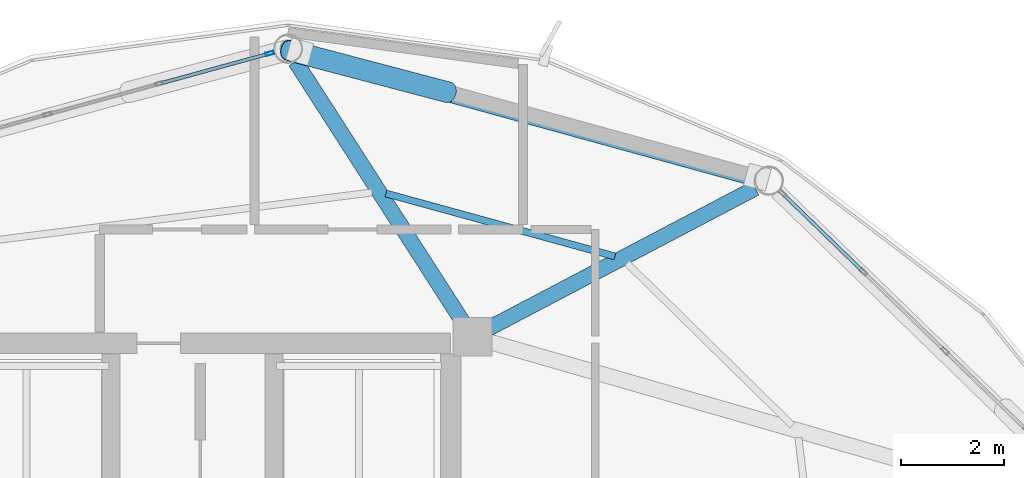
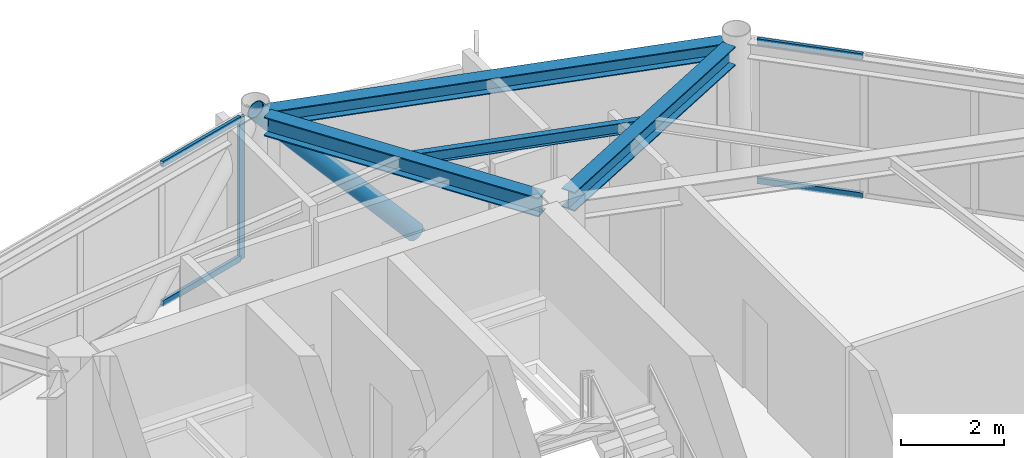
# One storey, part 19 of 27: 6 members, 4 beams, 2 elements without a shape of their own.
"""IFC4 building model written with IfcOpenShell, lengths in metres."""

from ifc_helpers import new_model, si_unit, direction, frame, origin, origin_2d, place, context, subcontext, project, spatial, hollow_rectangle, hollow_circle, i_section, extrude, material, layer, layer_set, material_profile, profile_set, type_object, element, aggregate, save


model = new_model("IFC4")

# Units and contexts
model_context = context("Model", 3, precision=1e-05, world=origin(), true_north=direction((0.0, 1.0)))
body_context = subcontext(model_context, "Body", "Model", "MODEL_VIEW")
ifc_project = project(units=[si_unit("LENGTHUNIT", "METRE"), si_unit("AREAUNIT", "SQUARE_METRE"), si_unit("VOLUMEUNIT", "CUBIC_METRE"), si_unit("PLANEANGLEUNIT", "RADIAN"), si_unit("MASSUNIT", "GRAM", prefix="KILO")], contexts=[model_context])

# Site, building, storey
site_placement = place(None, origin())
site = spatial("IfcSite", under=ifc_project, at=site_placement, CompositionType="ELEMENT")
building_placement = place(site_placement, origin())
building = spatial("IfcBuilding", under=site, at=building_placement, Name="Varnakorn Sky Granary", CompositionType="ELEMENT")
storey_placement = place(building_placement, frame((0.0, 0.0, 232.800048828125)))
storey = spatial("IfcBuildingStorey", under=building, at=storey_placement, Name="L59", CompositionType="ELEMENT", Elevation=232.800048828125)

# Beams
ifc_material_1 = material(Name="Steel S355JR", Category="steel")
ifc_material_profile_1 = material_profile(ifc_material_1, i_section(OverallWidth=0.300048828125, OverallDepth=0.449951171875, WebThickness=0.013916015625, FlangeThickness=0.02587890625, at=origin_2d()), Name="HE 450 B")
ifc_profile_set_1 = profile_set([ifc_material_profile_1], Name="Steel S355JR")
beam_type_1 = type_object("IfcBeamType", Name="BM-RAD-Z5", PredefinedType="BEAM", material=ifc_profile_set_1)
beam_1_placement = place(storey_placement, frame((8.734130859375, 12.78515625, 3.135009765625), z_axis=(0.885177745277, 0.46525300565, 0.0), x_axis=(-0.46525300565, 0.885177745277, 0.0)))
element("IfcBeam", 1, at=beam_1_placement, inside=storey, type_object=beam_type_1, Name="Radial Floor Girder RG03 L59", PredefinedType="BEAM", context=body_context, shape_type="SweptSolid", body=[
    extrude(i_section(OverallWidth=0.300048828125, OverallDepth=0.449951171875, WebThickness=0.013916015625, FlangeThickness=0.02587890625, at=origin_2d()), origin(), (0.0, 0.0, 1.0), 5.8330078125),
])
beam_2_placement = place(storey_placement, frame((8.22802734375, 12.918701171875, 3.135009765625), z_axis=(-0.54073284174, 0.841194385302, 0.0), x_axis=(-0.841194385302, -0.54073284174, 0.0)))
element("IfcBeam", 2, at=beam_2_placement, inside=storey, type_object=beam_type_1, Name="Radial Floor Girder RG04 L59", PredefinedType="BEAM", context=body_context, shape_type="SweptSolid", body=[
    extrude(i_section(OverallWidth=0.300048828125, OverallDepth=0.449951171875, WebThickness=0.013916015625, FlangeThickness=0.02587890625, at=origin_2d()), origin(), (0.0, 0.0, 1.0), 5.98291015625),
])
ifc_material_profile_2 = material_profile(ifc_material_1, i_section(OverallWidth=0.135009765625, OverallDepth=0.27001953125, WebThickness=0.006591796875, FlangeThickness=0.01025390625, at=origin_2d()), Name="IPE 270")
ifc_profile_set_2 = profile_set([ifc_material_profile_2], Name="Steel S355JR")
beam_type_2 = type_object("IfcBeamType", Name="BM-SEC-Z5", PredefinedType="BEAM", material=ifc_profile_set_2)
beam_3_placement = place(storey_placement, frame((11.180908203125, 14.17919921875, 3.224853515625), z_axis=(-0.964258635881, 0.264962795746, 0.0), x_axis=(-0.264962795746, -0.964258635881, 0.0)))
element("IfcBeam", 3, at=beam_3_placement, inside=storey, type_object=beam_type_2, Name="Secondary Floor Chord Beam MSB03 L59", PredefinedType="BEAM", context=body_context, shape_type="SweptSolid", body=[
    extrude(i_section(OverallWidth=0.135009765625, OverallDepth=0.27001953125, WebThickness=0.006591796875, FlangeThickness=0.01025390625, at=origin_2d()), origin(), (0.0, 0.0, 1.0), 4.599609375),
])
ifc_material_profile_3 = material_profile(ifc_material_1, i_section(OverallWidth=0.300048828125, OverallDepth=0.360107421875, WebThickness=0.012451171875, FlangeThickness=0.0224609375, at=origin_2d()), Name="HE 360 B")
ifc_profile_set_3 = profile_set([ifc_material_profile_3], Name="Steel S355JR")
beam_type_3 = type_object("IfcBeamType", Name="BM-SPD-Z5", PredefinedType="SPANDREL", material=ifc_profile_set_3)
beam_4_placement = place(storey_placement, frame((13.87646484375, 15.6923828125, 3.179931640625), z_axis=(-0.964220486404, 0.26510159109, 0.0), x_axis=(-0.26510159109, -0.964220486404, 0.0)))
element("IfcBeam", 4, at=beam_4_placement, inside=storey, type_object=beam_type_3, Name="Perimeter Spandrel Ring Beam RB03 L59", PredefinedType="SPANDREL", context=body_context, shape_type="SweptSolid", body=[
    extrude(i_section(OverallWidth=0.300048828125, OverallDepth=0.360107421875, WebThickness=0.012451171875, FlangeThickness=0.0224609375, at=origin_2d()), origin(), (0.0, 0.0, 1.0), 9.096923828125),
])

# Curtain wall, member
ifc_material_2 = material(Name="Anodised Bronze Aluminium Alloy 6063-T6", Category="aluminium")
ifc_layer = layer(ifc_material_2, 0.169921875, Name="Anodised Bronze Aluminium Alloy 6063-T6")
ifc_layer_set = layer_set([ifc_layer], Name="Anodised Bronze Aluminium Alloy 6063-T6")
curtain_wall_type = type_object("IfcCurtainWallType", Name="CW-LAB-1", PredefinedType="USERDEFINED", material=ifc_layer_set)
curtain_wall_1_placement = place(storey_placement, origin())
curtain_wall_1 = element("IfcCurtainWall", 5, at=curtain_wall_1_placement, inside=storey, type_object=curtain_wall_type, Name="Unitised Curtain Wall CW5 CW-L59-B04", ObjectType="CURTAIN WALL", PredefinedType="USERDEFINED")
ifc_material_profile_4 = material_profile(ifc_material_2, hollow_rectangle(XDim=0.06494140625, YDim=0.159912109375, WallThickness=0.00341796875, at=origin_2d()), Name="ALU MULL 65x160")
ifc_profile_set_4 = profile_set([ifc_material_profile_4], Name="Anodised Bronze Aluminium Alloy 6063-T6")
member_type_1 = type_object("IfcMemberType", Name="CW-LAB-1-MULL", PredefinedType="MULLION", material=ifc_profile_set_4)
member_1_placement = place(storey_placement, frame((4.4912109375, 18.109619140625, 0.0), z_axis=(0.0, 0.0, 1.0), x_axis=(-0.26463962686, 0.964347379265, 0.0)))
member_1 = element("IfcMember", 6, at=member_1_placement, type_object=member_type_1, Name="CW5 mullion 5", PredefinedType="MULLION", context=body_context, shape_type="SweptSolid", body=[
    extrude(hollow_rectangle(XDim=0.06494140625, YDim=0.159912109375, WallThickness=0.00341796875, at=origin_2d()), origin(), (0.0, 0.0, 1.0), 3.35986328125),
])

# Curtain wall, members
curtain_wall_2_placement = place(storey_placement, origin())
curtain_wall_2 = element("IfcCurtainWall", 7, at=curtain_wall_2_placement, inside=storey, type_object=curtain_wall_type, Name="Unitised Curtain Wall CW5 CW-L59-B02", ObjectType="CURTAIN WALL", PredefinedType="USERDEFINED")
ifc_material_profile_5 = material_profile(ifc_material_2, hollow_rectangle(XDim=0.070068359375, YDim=0.139892578125, WallThickness=0.00341796875, at=origin_2d()), Name="ALU TRAN 70x140")
ifc_profile_set_5 = profile_set([ifc_material_profile_5], Name="Anodised Bronze Aluminium Alloy 6063-T6")
member_type_2 = type_object("IfcMemberType", Name="CW-LAB-1-TRAN", PredefinedType="USERDEFINED", material=ifc_profile_set_5)
member_2_placement = place(storey_placement, frame((14.455810546875, 15.3701171875, 0.034912109375), z_axis=(0.717795152557, -0.696254349334, 0.0), x_axis=(0.696254349334, 0.717795152557, 0.0)))
member_2 = element("IfcMember", 8, at=member_2_placement, type_object=member_type_2, Name="CW5 transom 1.1", ObjectType="TRANSOM", PredefinedType="USERDEFINED", context=body_context, shape_type="SweptSolid", body=[
    extrude(hollow_rectangle(XDim=0.070068359375, YDim=0.139892578125, WallThickness=0.00341796875, at=origin_2d()), origin(), (0.0, 0.0, 1.0), 2.108154296875),
])
member_3_placement = place(storey_placement, frame((14.455810546875, 15.3701171875, 3.324951171875), z_axis=(0.717795152557, -0.696254349334, 0.0), x_axis=(0.696254349334, 0.717795152557, 0.0)))
member_3 = element("IfcMember", 9, at=member_3_placement, type_object=member_type_2, Name="CW5 transom 1.2", ObjectType="TRANSOM", PredefinedType="USERDEFINED", context=body_context, shape_type="SweptSolid", body=[
    extrude(hollow_rectangle(XDim=0.070068359375, YDim=0.139892578125, WallThickness=0.00341796875, at=origin_2d()), origin(), (0.0, 0.0, 1.0), 2.108154296875),
])
aggregate(curtain_wall_2, [member_2, member_3])

# Member
member_4_placement = place(storey_placement, frame((2.388671875, 17.53271484375, 0.034912109375), z_axis=(0.9643534522, 0.264617496077, 0.0), x_axis=(-0.264617496077, 0.9643534522, 0.0)))
member_4 = element("IfcMember", 10, at=member_4_placement, type_object=member_type_2, Name="CW5 transom 4.1", ObjectType="TRANSOM", PredefinedType="USERDEFINED", context=body_context, shape_type="SweptSolid", body=[
    extrude(hollow_rectangle(XDim=0.070068359375, YDim=0.139892578125, WallThickness=0.00341796875, at=origin_2d()), origin(), (0.0, 0.0, 1.0), 2.14794921875),
])

member_5_placement = place(storey_placement, frame((2.388671875, 17.53271484375, 3.324951171875), z_axis=(0.9643534522, 0.264617496077, 0.0), x_axis=(-0.264617496077, 0.9643534522, 0.0)))
member_5 = element("IfcMember", 11, at=member_5_placement, type_object=member_type_2, Name="CW5 transom 4.2", ObjectType="TRANSOM", PredefinedType="USERDEFINED", context=body_context, shape_type="SweptSolid", body=[
    extrude(hollow_rectangle(XDim=0.070068359375, YDim=0.139892578125, WallThickness=0.00341796875, at=origin_2d()), origin(), (0.0, 0.0, 1.0), 2.14794921875),
])

aggregate(curtain_wall_1, [member_1, member_4, member_5])

ifc_material_3 = material(Name="Steel S460M", Category="steel")
ifc_material_profile_6 = material_profile(ifc_material_3, hollow_circle(Radius=0.203125, WallThickness=0.01611328125, at=origin_2d()), Name="CHS 406.4x16")
ifc_profile_set_6 = profile_set([ifc_material_profile_6], Name="Steel S460M")
member_type_3 = type_object("IfcMemberType", Name="MB-DIAG-T4", PredefinedType="BRACE", material=ifc_profile_set_6)
member_6_placement = place(storey_placement, frame((7.955078125, 17.35595703125, -0.130126953125), z_axis=(-0.654729259365, 0.172511224102, 0.73591404015), x_axis=(-0.254788952138, -0.966996685552, 0.0)))
element("IfcMember", 12, at=member_6_placement, inside=storey, type_object=member_type_3, Name="Perimeter CHS Diagrid Brace DG03 L59", PredefinedType="BRACE", context=body_context, shape_type="SweptSolid", body=[
    extrude(hollow_circle(Radius=0.203125, WallThickness=0.01611328125, at=origin_2d()), origin(), (0.0, 0.0, 1.0), 4.742431640625),
])

save(model, "model.ifc")
